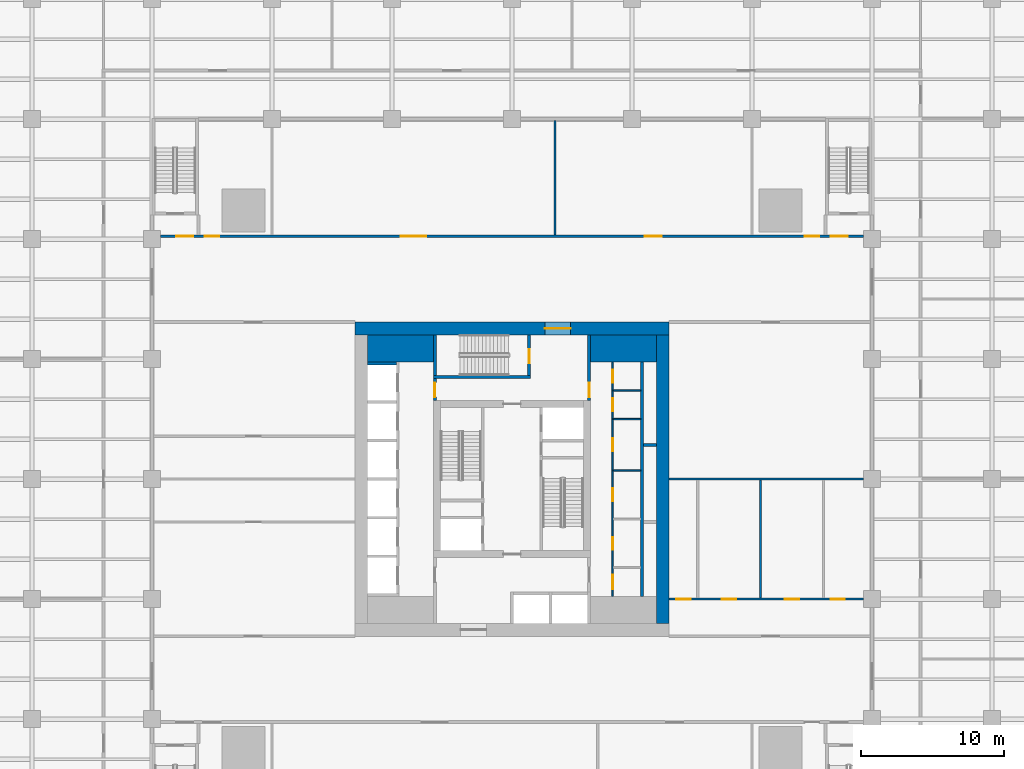
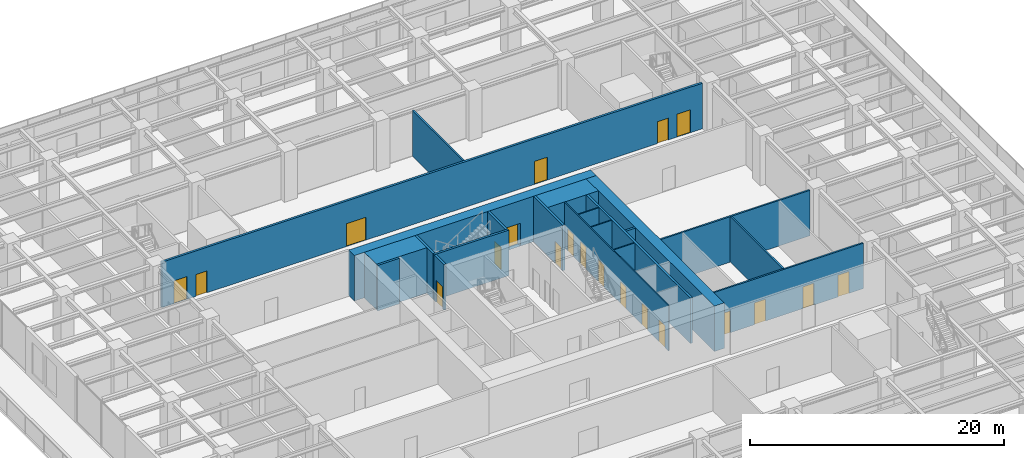
# One storey, part 20 of 32: 21 walls, 20 doors, 20 openings.
"""IFC4 building model written with IfcOpenShell, lengths in metres."""

from ifc_helpers import new_model, si_unit, direction, frame, frame_2d, origin, place, context, subcontext, project, spatial, rectangle, extrude, material, layer, layer_set, type_object, element, fill, save


model = new_model("IFC4")

# Units and contexts
model_context = context("Model", 3, precision=1e-05, world=origin(), true_north=direction((0.0, 1.0)))
body_context = subcontext(model_context, "Body", "Model", "MODEL_VIEW")
ifc_project = project(units=[si_unit("LENGTHUNIT", "METRE"), si_unit("AREAUNIT", "SQUARE_METRE"), si_unit("VOLUMEUNIT", "CUBIC_METRE"), si_unit("PLANEANGLEUNIT", "RADIAN"), si_unit("MASSUNIT", "GRAM", prefix="KILO")], contexts=[model_context])

# Site, building, storey
site_placement = place(None, origin())
site = spatial("IfcSite", under=ifc_project, at=site_placement, CompositionType="ELEMENT")
building_placement = place(site_placement, origin())
building = spatial("IfcBuilding", under=site, at=building_placement, Name="Khepri Terraces", CompositionType="ELEMENT")
storey_placement = place(building_placement, frame((0.0, 0.0, 12.0)))
storey = spatial("IfcBuildingStorey", under=building, at=storey_placement, Name="L02", CompositionType="ELEMENT", Elevation=12.0)

# Walls
ifc_material_1 = material(Name="Concrete C80/95", Category="concrete")
ifc_layer_1 = layer(ifc_material_1, 1.89990234375, Name="Concrete C80/95", Category="concrete")
ifc_layer_set_1 = layer_set([ifc_layer_1], Name="Concrete C80/95")
wall_type_1 = type_object("IfcWallType", Name="Core wall 1900 C80/95", PredefinedType="SHEAR", material=ifc_layer_set_1)
for number, where, z_axis, x_axis, name in (
    (1, (-10.10009765625, 9.14990234375, 0.0), (0.0, 0.0, 1.0), (1.0, 0.0, 0.0), "Core wall PR03 L02"),
    (2, (5.5, 9.14990234375, 0.0), (0.0, 0.0, 1.0), (1.0, 0.0, 0.0), "Core wall PR04 L02"),
):
    element("IfcWall", number, at=place(storey_placement, frame(where, z_axis=z_axis, x_axis=x_axis)), inside=storey, type_object=wall_type_1, Name=name, PredefinedType="SHEAR", context=body_context, shape_type="SweptSolid", body=[
        extrude(rectangle(XDim=4.60009765625, YDim=1.89990234375, at=frame_2d((2.300048828125, 0.0))), origin(), (0.0, 0.0, 1.0), 4.3798828125),
    ])
ifc_layer_2 = layer(ifc_material_1, 0.199951171875, Name="Concrete C80/95", Category="concrete")
ifc_layer_set_2 = layer_set([ifc_layer_2], Name="Concrete C80/95")
wall_type_2 = type_object("IfcWallType", Name="Core wall 200 C80/95", PredefinedType="SHEAR", material=ifc_layer_set_2)
wall_1_placement = place(storey_placement, frame((-5.5, 7.14990234375, 0.0), z_axis=(0.0, 0.0, 1.0), x_axis=(1.0, 0.0, 0.0)))
element("IfcWall", 3, at=wall_1_placement, inside=storey, type_object=wall_type_2, Name="Core wall ST05 L02", PredefinedType="SHEAR", context=body_context, shape_type="SweptSolid", body=[
    extrude(rectangle(XDim=6.800048828125, YDim=0.199951171875, at=frame_2d((3.39990234375, 0.0))), origin(), (0.0, 0.0, 1.0), 4.3798828125),
])
wall_2_placement = place(storey_placement, frame((-5.39990234375, 7.25, 0.0), z_axis=(0.0, 0.0, 1.0), x_axis=(0.0, 1.0, 0.0)))
element("IfcWall", 4, at=wall_2_placement, inside=storey, type_object=wall_type_2, Name="Core wall ST06 L02", PredefinedType="SHEAR", context=body_context, shape_type="SweptSolid", body=[
    extrude(rectangle(XDim=2.85009765625, YDim=0.199951171875, at=frame_2d((1.425048828125, 0.0))), origin(), (0.0, 0.0, 1.0), 4.3798828125),
])

# Wall, opening, door
wall_3_placement = place(storey_placement, frame((1.199951171875, 7.25, 0.0), z_axis=(0.0, 0.0, 1.0), x_axis=(0.0, 1.0, 0.0)))
wall_3 = element("IfcWall", 5, at=wall_3_placement, inside=storey, type_object=wall_type_2, Name="Core wall ST07 L02", PredefinedType="SHEAR", context=body_context, shape_type="SweptSolid", body=[
    extrude(rectangle(XDim=2.85009765625, YDim=0.199951171875, at=frame_2d((1.425048828125, 0.0))), origin(), (0.0, 0.0, 1.0), 4.3798828125),
])
opening_1_placement = place(wall_3_placement, frame((0.85009765625, 0.0, 0.0)))
opening_1 = element("IfcOpeningElement", 6, at=opening_1_placement, cuts=wall_3, Name="Opening L02-C15", PredefinedType="OPENING", context=body_context, shape_type="SweptSolid", body=[
    extrude(rectangle(XDim=1.0, YDim=2.10009765625, at=frame_2d((0.5, 1.050048828125))), frame((0.0, 0.10986328125, 0.0), z_axis=(0.0, -1.0, 0.0), x_axis=(1.0, 0.0, 0.0)), (0.0, 0.0, 1.0), 0.219970703125),
])
ifc_material_2 = material(Name="Painted steel", Category="steel")
door_type_1 = type_object("IfcDoorType", Name="DR-CORE-STAIR-1000", OperationType="NOTDEFINED", PredefinedType="DOOR", material=ifc_material_2)
door_1_placement = place(opening_1_placement, origin())
door_1 = element("IfcDoor", 7, at=door_1_placement, inside=storey, type_object=door_type_1, Name="Stair door L02-C15", OperationType="SINGLE_SWING_LEFT", OverallHeight=2.10009765625, OverallWidth=1.0, PredefinedType="DOOR", context=body_context, shape_type="SweptSolid", body=[
    extrude(rectangle(XDim=1.0, YDim=2.10009765625, at=frame_2d((0.5, 1.050048828125))), frame((0.0, 0.02490234375, 0.0), z_axis=(0.0, -1.0, 0.0), x_axis=(1.0, 0.0, 0.0)), (0.0, 0.0, 1.0), 0.050048828125),
])
fill(opening_1, door_1)

# Walls
wall_4_placement = place(storey_placement, frame((9.10009765625, -8.199951171875, 0.0), z_axis=(0.0, 0.0, 1.0), x_axis=(0.0, 1.0, 0.0)))
element("IfcWall", 8, at=wall_4_placement, inside=storey, type_object=wall_type_2, Name="Core wall SH05 L02", PredefinedType="SHEAR", context=body_context, shape_type="SweptSolid", body=[
    extrude(rectangle(XDim=16.39990234375, YDim=0.199951171875, at=frame_2d((8.199951171875, 0.0))), origin(), (0.0, 0.0, 1.0), 4.3798828125),
])
wall_5_placement = place(storey_placement, frame((9.199951171875, 2.39990234375, 0.0), z_axis=(0.0, 0.0, 1.0), x_axis=(1.0, 0.0, 0.0)))
element("IfcWall", 9, at=wall_5_placement, inside=storey, type_object=wall_type_2, Name="Core wall SH16 L02", PredefinedType="SHEAR", context=body_context, shape_type="SweptSolid", body=[
    extrude(rectangle(XDim=0.900146484375, YDim=0.199951171875, at=frame_2d((0.4501953125, 0.0))), origin(), (0.0, 0.0, 1.0), 4.3798828125),
])
wall_6_placement = place(storey_placement, frame((-10.10009765625, 8.10009765625, 0.0), z_axis=(0.0, 0.0, 1.0), x_axis=(1.0, 0.0, 0.0)))
element("IfcWall", 10, at=wall_6_placement, inside=storey, type_object=wall_type_2, Name="Core wall SH20 L02", PredefinedType="SHEAR", context=body_context, shape_type="SweptSolid", body=[
    extrude(rectangle(XDim=2.0, YDim=0.199951171875, at=frame_2d((1.0, 0.0))), origin(), (0.0, 0.0, 1.0), 4.3798828125),
])

# Wall, opening, door
ifc_layer_3 = layer(ifc_material_1, 0.89990234375, Name="Concrete C80/95", Category="concrete")
ifc_layer_set_3 = layer_set([ifc_layer_3], Name="Concrete C80/95")
wall_type_3 = type_object("IfcWallType", Name="Core wall 900 C80/95", PredefinedType="SHEAR", material=ifc_layer_set_3)
wall_7_placement = place(storey_placement, frame((-11.0, 10.550048828125, 0.0), z_axis=(0.0, 0.0, 1.0), x_axis=(1.0, 0.0, 0.0)))
wall_7 = element("IfcWall", 11, at=wall_7_placement, inside=storey, type_object=wall_type_3, Name="Core wall OW-N L02", PredefinedType="SHEAR", context=body_context, shape_type="SweptSolid", body=[
    extrude(rectangle(XDim=22.0, YDim=0.89990234375, at=frame_2d((11.0, 0.0))), origin(), (0.0, 0.0, 1.0), 4.3798828125),
])
opening_2_placement = place(wall_7_placement, frame((13.300048828125, 0.0, 0.0)))
opening_2 = element("IfcOpeningElement", 12, at=opening_2_placement, cuts=wall_7, Name="Opening L02-C20", PredefinedType="OPENING", context=body_context, shape_type="SweptSolid", body=[
    extrude(rectangle(XDim=1.800048828125, YDim=2.199951171875, at=frame_2d((0.89990234375, 1.10009765625))), frame((0.0, 0.4599609375, 0.0), z_axis=(0.0, -1.0, 0.0), x_axis=(1.0, 0.0, 0.0)), (0.0, 0.0, 1.0), 0.919921875),
])
door_type_2 = type_object("IfcDoorType", Name="DR-CORE-ENTRANCE-1800", OperationType="NOTDEFINED", PredefinedType="DOOR", material=ifc_material_2)
door_2_placement = place(opening_2_placement, origin())
door_2 = element("IfcDoor", 13, at=door_2_placement, inside=storey, type_object=door_type_2, Name="Core entrance door pair L02-C20", OperationType="DOUBLE_DOOR_SINGLE_SWING", OverallHeight=2.199951171875, OverallWidth=1.800048828125, PredefinedType="DOOR", context=body_context, shape_type="SweptSolid", body=[
    extrude(rectangle(XDim=1.800048828125, YDim=2.199951171875, at=frame_2d((0.89990234375, 1.10009765625))), frame((0.0, 0.02490234375, 0.0), z_axis=(0.0, -1.0, 0.0), x_axis=(1.0, 0.0, 0.0)), (0.0, 0.0, 1.0), 0.050048828125),
])
fill(opening_2, door_2)

# Wall
wall_8_placement = place(storey_placement, frame((10.550048828125, -10.10009765625, 0.0), z_axis=(0.0, 0.0, 1.0), x_axis=(0.0, 1.0, 0.0)))
element("IfcWall", 14, at=wall_8_placement, inside=storey, type_object=wall_type_3, Name="Core wall OW-E L02", PredefinedType="SHEAR", context=body_context, shape_type="SweptSolid", body=[
    extrude(rectangle(XDim=20.2001953125, YDim=0.89990234375, at=frame_2d((10.10009765625, 0.0))), origin(), (0.0, 0.0, 1.0), 4.3798828125),
])

# Wall, openings, doors
ifc_material_3 = material(Name="Fire-rated gypsum board partition")
ifc_layer_4 = layer(ifc_material_3, 0.10009765625, Name="Fire-rated gypsum board partition")
ifc_layer_set_4 = layer_set([ifc_layer_4], Name="Fire-rated gypsum board partition")
wall_type_4 = type_object("IfcWallType", Name="WL-CORE-PART-100", PredefinedType="PARTITIONING", material=ifc_layer_set_4)
wall_9_placement = place(storey_placement, frame((7.050048828125, -8.199951171875, 0.0), z_axis=(0.0, 0.0, 1.0), x_axis=(0.0, 1.0, 0.0)))
wall_9 = element("IfcWall", 15, at=wall_9_placement, inside=storey, type_object=wall_type_4, Name="Core partition PT02 L02", PredefinedType="PARTITIONING", context=body_context, shape_type="SweptSolid", body=[
    extrude(rectangle(XDim=16.39990234375, YDim=0.10009765625, at=frame_2d((8.199951171875, 0.0))), origin(), (0.0, 0.0, 1.0), 4.3798828125),
])
opening_3_placement = place(wall_9_placement, frame((0.5, 0.0, 0.0)))
opening_3 = element("IfcOpeningElement", 16, at=opening_3_placement, cuts=wall_9, Name="Opening L02-C22", PredefinedType="OPENING", context=body_context, shape_type="SweptSolid", body=[
    extrude(rectangle(XDim=1.0, YDim=2.10009765625, at=frame_2d((0.5, 1.050048828125))), frame((0.0, 0.06005859375, 0.0), z_axis=(0.0, -1.0, 0.0), x_axis=(1.0, 0.0, 0.0)), (0.0, 0.0, 1.0), 0.1201171875),
])
opening_4_placement = place(wall_9_placement, frame((3.25, 0.0, 0.0)))
opening_4 = element("IfcOpeningElement", 17, at=opening_4_placement, cuts=wall_9, Name="Opening L02-C23", PredefinedType="OPENING", context=body_context, shape_type="SweptSolid", body=[
    extrude(rectangle(XDim=0.89990234375, YDim=2.10009765625, at=frame_2d((0.449951171875, 1.050048828125))), frame((0.0, 0.06005859375, 0.0), z_axis=(0.0, -1.0, 0.0), x_axis=(1.0, 0.0, 0.0)), (0.0, 0.0, 1.0), 0.1201171875),
])
opening_5_placement = place(wall_9_placement, frame((6.64990234375, 0.0, 0.0)))
opening_5 = element("IfcOpeningElement", 18, at=opening_5_placement, cuts=wall_9, Name="Opening L02-C24", PredefinedType="OPENING", context=body_context, shape_type="SweptSolid", body=[
    extrude(rectangle(XDim=0.89990234375, YDim=2.10009765625, at=frame_2d((0.449951171875, 1.050048828125))), frame((0.0, 0.06005859375, 0.0), z_axis=(0.0, -1.0, 0.0), x_axis=(1.0, 0.0, 0.0)), (0.0, 0.0, 1.0), 0.1201171875),
])
opening_6_placement = place(wall_9_placement, frame((10.14990234375, 0.0, 0.0)))
opening_6 = element("IfcOpeningElement", 19, at=opening_6_placement, cuts=wall_9, Name="Opening L02-C25", PredefinedType="OPENING", context=body_context, shape_type="SweptSolid", body=[
    extrude(rectangle(XDim=0.89990234375, YDim=2.10009765625, at=frame_2d((0.449951171875, 1.050048828125))), frame((0.0, 0.06005859375, 0.0), z_axis=(0.0, -1.0, 0.0), x_axis=(1.0, 0.0, 0.0)), (0.0, 0.0, 1.0), 0.1201171875),
])
opening_7_placement = place(wall_9_placement, frame((12.949951171875, 0.0, 0.0)))
opening_7 = element("IfcOpeningElement", 20, at=opening_7_placement, cuts=wall_9, Name="Opening L02-C26", PredefinedType="OPENING", context=body_context, shape_type="SweptSolid", body=[
    extrude(rectangle(XDim=0.89990234375, YDim=2.10009765625, at=frame_2d((0.449951171875, 1.050048828125))), frame((0.0, 0.06005859375, 0.0), z_axis=(0.0, -1.0, 0.0), x_axis=(1.0, 0.0, 0.0)), (0.0, 0.0, 1.0), 0.1201171875),
])
opening_8_placement = place(wall_9_placement, frame((14.949951171875, 0.0, 0.0)))
opening_8 = element("IfcOpeningElement", 21, at=opening_8_placement, cuts=wall_9, Name="Opening L02-C27", PredefinedType="OPENING", context=body_context, shape_type="SweptSolid", body=[
    extrude(rectangle(XDim=0.89990234375, YDim=2.10009765625, at=frame_2d((0.449951171875, 1.050048828125))), frame((0.0, 0.06005859375, 0.0), z_axis=(0.0, -1.0, 0.0), x_axis=(1.0, 0.0, 0.0)), (0.0, 0.0, 1.0), 0.1201171875),
])
door_type_3 = type_object("IfcDoorType", Name="DR-CORE-SERVICE-900", OperationType="NOTDEFINED", PredefinedType="DOOR", material=ifc_material_2)
door_3_placement = place(opening_4_placement, frame((0.89990234375, 0.0, 0.0), z_axis=(0.0, 0.0, 1.0), x_axis=(-1.0, 0.0, 0.0)))
door_3 = element("IfcDoor", 22, at=door_3_placement, inside=storey, type_object=door_type_3, Name="Service room door L02-C23", OperationType="SINGLE_SWING_RIGHT", OverallHeight=2.10009765625, OverallWidth=0.89990234375, PredefinedType="DOOR", context=body_context, shape_type="SweptSolid", body=[
    extrude(rectangle(XDim=0.89990234375, YDim=2.10009765625, at=frame_2d((0.449951171875, 1.050048828125))), frame((0.0, 0.02490234375, 0.0), z_axis=(0.0, -1.0, 0.0), x_axis=(1.0, 0.0, 0.0)), (0.0, 0.0, 1.0), 0.050048828125),
])
fill(opening_4, door_3)
door_4_placement = place(opening_5_placement, frame((0.89990234375, 0.0, 0.0), z_axis=(0.0, 0.0, 1.0), x_axis=(-1.0, 0.0, 0.0)))
door_4 = element("IfcDoor", 23, at=door_4_placement, inside=storey, type_object=door_type_3, Name="Service room door L02-C24", OperationType="SINGLE_SWING_RIGHT", OverallHeight=2.10009765625, OverallWidth=0.89990234375, PredefinedType="DOOR", context=body_context, shape_type="SweptSolid", body=[
    extrude(rectangle(XDim=0.89990234375, YDim=2.10009765625, at=frame_2d((0.449951171875, 1.050048828125))), frame((0.0, 0.02490234375, 0.0), z_axis=(0.0, -1.0, 0.0), x_axis=(1.0, 0.0, 0.0)), (0.0, 0.0, 1.0), 0.050048828125),
])
fill(opening_5, door_4)
door_5_placement = place(opening_6_placement, frame((0.89990234375, 0.0, 0.0), z_axis=(0.0, 0.0, 1.0), x_axis=(-1.0, 0.0, 0.0)))
door_5 = element("IfcDoor", 24, at=door_5_placement, inside=storey, type_object=door_type_3, Name="Service room door L02-C25", OperationType="SINGLE_SWING_LEFT", OverallHeight=2.10009765625, OverallWidth=0.89990234375, PredefinedType="DOOR", context=body_context, shape_type="SweptSolid", body=[
    extrude(rectangle(XDim=0.89990234375, YDim=2.10009765625, at=frame_2d((0.449951171875, 1.050048828125))), frame((0.0, 0.02490234375, 0.0), z_axis=(0.0, -1.0, 0.0), x_axis=(1.0, 0.0, 0.0)), (0.0, 0.0, 1.0), 0.050048828125),
])
fill(opening_6, door_5)
door_6_placement = place(opening_7_placement, frame((0.89990234375, 0.0, 0.0), z_axis=(0.0, 0.0, 1.0), x_axis=(-1.0, 0.0, 0.0)))
door_6 = element("IfcDoor", 25, at=door_6_placement, inside=storey, type_object=door_type_3, Name="Service room door L02-C26", OperationType="SINGLE_SWING_LEFT", OverallHeight=2.10009765625, OverallWidth=0.89990234375, PredefinedType="DOOR", context=body_context, shape_type="SweptSolid", body=[
    extrude(rectangle(XDim=0.89990234375, YDim=2.10009765625, at=frame_2d((0.449951171875, 1.050048828125))), frame((0.0, 0.02490234375, 0.0), z_axis=(0.0, -1.0, 0.0), x_axis=(1.0, 0.0, 0.0)), (0.0, 0.0, 1.0), 0.050048828125),
])
fill(opening_7, door_6)
door_7_placement = place(opening_8_placement, frame((0.89990234375, 0.0, 0.0), z_axis=(0.0, 0.0, 1.0), x_axis=(-1.0, 0.0, 0.0)))
door_7 = element("IfcDoor", 26, at=door_7_placement, inside=storey, type_object=door_type_3, Name="Service room door L02-C27", OperationType="SINGLE_SWING_LEFT", OverallHeight=2.10009765625, OverallWidth=0.89990234375, PredefinedType="DOOR", context=body_context, shape_type="SweptSolid", body=[
    extrude(rectangle(XDim=0.89990234375, YDim=2.10009765625, at=frame_2d((0.449951171875, 1.050048828125))), frame((0.0, 0.02490234375, 0.0), z_axis=(0.0, -1.0, 0.0), x_axis=(1.0, 0.0, 0.0)), (0.0, 0.0, 1.0), 0.050048828125),
])
fill(opening_8, door_7)
ifc_material_4 = material(Name="Timber veneer", Category="wood")
door_type_4 = type_object("IfcDoorType", Name="DR-CORE-WC-1000", OperationType="NOTDEFINED", PredefinedType="DOOR", material=ifc_material_4)
door_8_placement = place(opening_3_placement, frame((1.0, 0.0, 0.0), z_axis=(0.0, 0.0, 1.0), x_axis=(-1.0, 0.0, 0.0)))
door_8 = element("IfcDoor", 27, at=door_8_placement, inside=storey, type_object=door_type_4, Name="WC door L02-C22", OperationType="SINGLE_SWING_RIGHT", OverallHeight=2.10009765625, OverallWidth=1.0, PredefinedType="DOOR", context=body_context, shape_type="SweptSolid", body=[
    extrude(rectangle(XDim=1.0, YDim=2.10009765625, at=frame_2d((0.5, 1.050048828125))), frame((0.0, 0.02490234375, 0.0), z_axis=(0.0, -1.0, 0.0), x_axis=(1.0, 0.0, 0.0)), (0.0, 0.0, 1.0), 0.050048828125),
])
fill(opening_3, door_8)

# Walls
for number, where, z_axis, x_axis, name in (
    (28, (7.10009765625, 0.60009765625, 0.0), (0.0, 0.0, 1.0), (1.0, 0.0, 0.0), "Core partition PT06 L02"),
    (29, (7.10009765625, 4.199951171875, 0.0), (0.0, 0.0, 1.0), (1.0, 0.0, 0.0), "Core partition PT07 L02"),
    (30, (7.10009765625, 6.199951171875, 0.0), (0.0, 0.0, 1.0), (1.0, 0.0, 0.0), "Core partition PT10 L02"),
):
    element("IfcWall", number, at=place(storey_placement, frame(where, z_axis=z_axis, x_axis=x_axis)), inside=storey, type_object=wall_type_4, Name=name, PredefinedType="PARTITIONING", context=body_context, shape_type="SweptSolid", body=[
        extrude(rectangle(XDim=1.89990234375, YDim=0.10009765625, at=frame_2d((0.949951171875, 0.0))), origin(), (0.0, 0.0, 1.0), 4.3798828125),
    ])

# Wall, opening, door
ifc_layer_5 = layer(ifc_material_3, 0.199951171875, Name="Fire-rated gypsum board partition")
ifc_layer_set_5 = layer_set([ifc_layer_5], Name="Fire-rated gypsum board partition")
wall_type_5 = type_object("IfcWallType", Name="WL-CORE-PART-200", PredefinedType="PARTITIONING", material=ifc_layer_set_5)
wall_10_placement = place(storey_placement, frame((-5.39990234375, 5.5, 0.0), z_axis=(0.0, 0.0, 1.0), x_axis=(0.0, 1.0, 0.0)))
wall_10 = element("IfcWall", 31, at=wall_10_placement, inside=storey, type_object=wall_type_5, Name="Core partition PT08 L02", PredefinedType="PARTITIONING", context=body_context, shape_type="SweptSolid", body=[
    extrude(rectangle(XDim=1.550048828125, YDim=0.199951171875, at=frame_2d((0.77490234375, 0.0))), origin(), (0.0, 0.0, 1.0), 4.3798828125),
])
opening_9_placement = place(wall_10_placement, frame((0.25, 0.0, 0.0)))
opening_9 = element("IfcOpeningElement", 32, at=opening_9_placement, cuts=wall_10, Name="Opening L02-C16", PredefinedType="OPENING", context=body_context, shape_type="SweptSolid", body=[
    extrude(rectangle(XDim=1.0, YDim=2.10009765625, at=frame_2d((0.5, 1.050048828125))), frame((0.0, 0.10986328125, 0.0), z_axis=(0.0, -1.0, 0.0), x_axis=(1.0, 0.0, 0.0)), (0.0, 0.0, 1.0), 0.219970703125),
])
door_type_5 = type_object("IfcDoorType", Name="DR-CORE-LOBBY-1000", OperationType="NOTDEFINED", PredefinedType="DOOR", material=ifc_material_2)
door_9_placement = place(opening_9_placement, frame((1.0, 0.0, 0.0), z_axis=(0.0, 0.0, 1.0), x_axis=(-1.0, 0.0, 0.0)))
door_9 = element("IfcDoor", 33, at=door_9_placement, inside=storey, type_object=door_type_5, Name="Lobby door L02-C16", OperationType="SINGLE_SWING_RIGHT", OverallHeight=2.10009765625, OverallWidth=1.0, PredefinedType="DOOR", context=body_context, shape_type="SweptSolid", body=[
    extrude(rectangle(XDim=1.0, YDim=2.10009765625, at=frame_2d((0.5, 1.050048828125))), frame((0.0, 0.02490234375, 0.0), z_axis=(0.0, -1.0, 0.0), x_axis=(1.0, 0.0, 0.0)), (0.0, 0.0, 1.0), 0.050048828125),
])
fill(opening_9, door_9)

wall_11_placement = place(storey_placement, frame((5.39990234375, 5.5, 0.0), z_axis=(0.0, 0.0, 1.0), x_axis=(0.0, 1.0, 0.0)))
wall_11 = element("IfcWall", 34, at=wall_11_placement, inside=storey, type_object=wall_type_5, Name="Core partition PT09 L02", PredefinedType="PARTITIONING", context=body_context, shape_type="SweptSolid", body=[
    extrude(rectangle(XDim=4.60009765625, YDim=0.199951171875, at=frame_2d((2.300048828125, 0.0))), origin(), (0.0, 0.0, 1.0), 4.3798828125),
])
opening_10_placement = place(wall_11_placement, frame((0.25, 0.0, 0.0)))
opening_10 = element("IfcOpeningElement", 35, at=opening_10_placement, cuts=wall_11, Name="Opening L02-C17", PredefinedType="OPENING", context=body_context, shape_type="SweptSolid", body=[
    extrude(rectangle(XDim=1.0, YDim=2.10009765625, at=frame_2d((0.5, 1.050048828125))), frame((0.0, 0.10986328125, 0.0), z_axis=(0.0, -1.0, 0.0), x_axis=(1.0, 0.0, 0.0)), (0.0, 0.0, 1.0), 0.219970703125),
])
door_10_placement = place(opening_10_placement, origin())
door_10 = element("IfcDoor", 36, at=door_10_placement, inside=storey, type_object=door_type_5, Name="Lobby door L02-C17", OperationType="SINGLE_SWING_LEFT", OverallHeight=2.10009765625, OverallWidth=1.0, PredefinedType="DOOR", context=body_context, shape_type="SweptSolid", body=[
    extrude(rectangle(XDim=1.0, YDim=2.10009765625, at=frame_2d((0.5, 1.050048828125))), frame((0.0, 0.02490234375, 0.0), z_axis=(0.0, -1.0, 0.0), x_axis=(1.0, 0.0, 0.0)), (0.0, 0.0, 1.0), 0.050048828125),
])
fill(opening_10, door_10)

# Wall, openings, doors
ifc_material_5 = material(Name="Gypsum board partition")
ifc_layer_6 = layer(ifc_material_5, 0.14990234375, Name="Gypsum board partition")
ifc_layer_set_6 = layer_set([ifc_layer_6], Name="Gypsum board partition")
wall_type_6 = type_object("IfcWallType", Name="WL-POD-150", PredefinedType="PARTITIONING", material=ifc_layer_set_6)
wall_12_placement = place(storey_placement, frame((11.0, -8.39990234375, 0.0), z_axis=(0.0, 0.0, 1.0), x_axis=(1.0, 0.0, 0.0)))
wall_12 = element("IfcWall", 37, at=wall_12_placement, inside=storey, type_object=wall_type_6, Name="Partition L02-PW014", PredefinedType="PARTITIONING", context=body_context, shape_type="SweptSolid", body=[
    extrude(rectangle(XDim=13.60009765625, YDim=0.14990234375, at=frame_2d((6.800048828125, 0.0))), origin(), (0.0, 0.0, 1.0), 4.3798828125),
])
opening_11_placement = place(wall_12_placement, frame((0.5, 0.0, 0.0)))
opening_11 = element("IfcOpeningElement", 38, at=opening_11_placement, cuts=wall_12, Name="Opening L02-P15", PredefinedType="OPENING", context=body_context, shape_type="SweptSolid", body=[
    extrude(rectangle(XDim=1.0, YDim=2.10009765625, at=frame_2d((0.5, 1.050048828125))), frame((0.0, 0.0849609375, 0.0), z_axis=(0.0, -1.0, 0.0), x_axis=(1.0, 0.0, 0.0)), (0.0, 0.0, 1.0), 0.169921875),
])
opening_12_placement = place(wall_12_placement, frame((3.699951171875, 0.0, 0.0)))
opening_12 = element("IfcOpeningElement", 39, at=opening_12_placement, cuts=wall_12, Name="Opening L02-P16", PredefinedType="OPENING", context=body_context, shape_type="SweptSolid", body=[
    extrude(rectangle(XDim=1.0, YDim=2.10009765625, at=frame_2d((0.5, 1.050048828125))), frame((0.0, 0.0849609375, 0.0), z_axis=(0.0, -1.0, 0.0), x_axis=(1.0, 0.0, 0.0)), (0.0, 0.0, 1.0), 0.169921875),
])
opening_13_placement = place(wall_12_placement, frame((8.10009765625, 0.0, 0.0)))
opening_13 = element("IfcOpeningElement", 40, at=opening_13_placement, cuts=wall_12, Name="Opening L02-P17", PredefinedType="OPENING", context=body_context, shape_type="SweptSolid", body=[
    extrude(rectangle(XDim=1.0, YDim=2.10009765625, at=frame_2d((0.5, 1.050048828125))), frame((0.0, 0.0849609375, 0.0), z_axis=(0.0, -1.0, 0.0), x_axis=(1.0, 0.0, 0.0)), (0.0, 0.0, 1.0), 0.169921875),
])
opening_14_placement = place(wall_12_placement, frame((11.300048828125, 0.0, 0.0)))
opening_14 = element("IfcOpeningElement", 41, at=opening_14_placement, cuts=wall_12, Name="Opening L02-P18", PredefinedType="OPENING", context=body_context, shape_type="SweptSolid", body=[
    extrude(rectangle(XDim=1.0, YDim=2.10009765625, at=frame_2d((0.5, 1.050048828125))), frame((0.0, 0.0849609375, 0.0), z_axis=(0.0, -1.0, 0.0), x_axis=(1.0, 0.0, 0.0)), (0.0, 0.0, 1.0), 0.169921875),
])
door_type_6 = type_object("IfcDoorType", Name="DR-POD-SINGLE-1000", OperationType="NOTDEFINED", PredefinedType="DOOR", material=ifc_material_4)
door_11_placement = place(opening_11_placement, origin())
door_11 = element("IfcDoor", 42, at=door_11_placement, inside=storey, type_object=door_type_6, Name="Door L02-P15", OperationType="SINGLE_SWING_LEFT", OverallHeight=2.10009765625, OverallWidth=1.0, PredefinedType="DOOR", context=body_context, shape_type="SweptSolid", body=[
    extrude(rectangle(XDim=1.0, YDim=2.10009765625, at=frame_2d((0.5, 1.050048828125))), frame((0.0, 0.02490234375, 0.0), z_axis=(0.0, -1.0, 0.0), x_axis=(1.0, 0.0, 0.0)), (0.0, 0.0, 1.0), 0.050048828125),
])
fill(opening_11, door_11)
door_12_placement = place(opening_12_placement, origin())
door_12 = element("IfcDoor", 43, at=door_12_placement, inside=storey, type_object=door_type_6, Name="Door L02-P16", OperationType="SINGLE_SWING_LEFT", OverallHeight=2.10009765625, OverallWidth=1.0, PredefinedType="DOOR", context=body_context, shape_type="SweptSolid", body=[
    extrude(rectangle(XDim=1.0, YDim=2.10009765625, at=frame_2d((0.5, 1.050048828125))), frame((0.0, 0.02490234375, 0.0), z_axis=(0.0, -1.0, 0.0), x_axis=(1.0, 0.0, 0.0)), (0.0, 0.0, 1.0), 0.050048828125),
])
fill(opening_12, door_12)
door_13_placement = place(opening_13_placement, origin())
door_13 = element("IfcDoor", 44, at=door_13_placement, inside=storey, type_object=door_type_6, Name="Door L02-P17", OperationType="SINGLE_SWING_RIGHT", OverallHeight=2.10009765625, OverallWidth=1.0, PredefinedType="DOOR", context=body_context, shape_type="SweptSolid", body=[
    extrude(rectangle(XDim=1.0, YDim=2.10009765625, at=frame_2d((0.5, 1.050048828125))), frame((0.0, 0.02490234375, 0.0), z_axis=(0.0, -1.0, 0.0), x_axis=(1.0, 0.0, 0.0)), (0.0, 0.0, 1.0), 0.050048828125),
])
fill(opening_13, door_13)
door_14_placement = place(opening_14_placement, origin())
door_14 = element("IfcDoor", 45, at=door_14_placement, inside=storey, type_object=door_type_6, Name="Door L02-P18", OperationType="SINGLE_SWING_RIGHT", OverallHeight=2.10009765625, OverallWidth=1.0, PredefinedType="DOOR", context=body_context, shape_type="SweptSolid", body=[
    extrude(rectangle(XDim=1.0, YDim=2.10009765625, at=frame_2d((0.5, 1.050048828125))), frame((0.0, 0.02490234375, 0.0), z_axis=(0.0, -1.0, 0.0), x_axis=(1.0, 0.0, 0.0)), (0.0, 0.0, 1.0), 0.050048828125),
])
fill(opening_14, door_14)

# Walls
wall_13_placement = place(storey_placement, frame((11.0, 0.0, 0.0), z_axis=(0.0, 0.0, 1.0), x_axis=(1.0, 0.0, 0.0)))
element("IfcWall", 46, at=wall_13_placement, inside=storey, type_object=wall_type_6, Name="Partition L02-PW017", PredefinedType="PARTITIONING", context=body_context, shape_type="SweptSolid", body=[
    extrude(rectangle(XDim=13.60009765625, YDim=0.14990234375, at=frame_2d((6.800048828125, 0.0))), origin(), (0.0, 0.0, 1.0), 4.3798828125),
])
wall_14_placement = place(storey_placement, frame((3.0, 17.10009765625, 0.0), z_axis=(0.0, 0.0, 1.0), x_axis=(0.0, 1.0, 0.0)))
element("IfcWall", 47, at=wall_14_placement, inside=storey, type_object=wall_type_6, Name="Partition L02-PW052", PredefinedType="PARTITIONING", context=body_context, shape_type="SweptSolid", body=[
    extrude(rectangle(XDim=8.0, YDim=0.14990234375, at=frame_2d((4.0, 0.0))), origin(), (0.0, 0.0, 1.0), 4.3798828125),
])
wall_15_placement = place(storey_placement, frame((17.39990234375, -8.324951171875, 0.0), z_axis=(0.0, 0.0, 1.0), x_axis=(0.0, 1.0, 0.0)))
element("IfcWall", 48, at=wall_15_placement, inside=storey, type_object=wall_type_6, Name="Partition L02-PW058", PredefinedType="PARTITIONING", context=body_context, shape_type="SweptSolid", body=[
    extrude(rectangle(XDim=8.25, YDim=0.14990234375, at=frame_2d((4.125, 0.0))), origin(), (0.0, 0.0, 1.0), 4.3798828125),
])

# Wall, openings, doors
ifc_material_6 = material(Name="Fire-rated block wall")
ifc_layer_7 = layer(ifc_material_6, 0.199951171875, Name="Fire-rated block wall")
ifc_layer_set_7 = layer_set([ifc_layer_7], Name="Fire-rated block wall")
wall_type_7 = type_object("IfcWallType", Name="WL-POD-200-EI60", PredefinedType="PARTITIONING", material=ifc_layer_set_7)
wall_16_placement = place(storey_placement, frame((-24.60009765625, 17.0, 0.0), z_axis=(0.0, 0.0, 1.0), x_axis=(1.0, 0.0, 0.0)))
wall_16 = element("IfcWall", 49, at=wall_16_placement, inside=storey, type_object=wall_type_7, Name="Partition L02-PW026", PredefinedType="PARTITIONING", context=body_context, shape_type="SweptSolid", body=[
    extrude(rectangle(XDim=49.2001953125, YDim=0.199951171875, at=frame_2d((24.60009765625, 0.0))), origin(), (0.0, 0.0, 1.0), 4.3798828125),
])
opening_15_placement = place(wall_16_placement, frame((1.10009765625, 0.0, 0.0)))
opening_15 = element("IfcOpeningElement", 50, at=opening_15_placement, cuts=wall_16, Name="Opening L02-P28", PredefinedType="OPENING", context=body_context, shape_type="SweptSolid", body=[
    extrude(rectangle(XDim=1.199951171875, YDim=2.199951171875, at=frame_2d((0.60009765625, 1.10009765625))), frame((0.0, 0.10986328125, 0.0), z_axis=(0.0, -1.0, 0.0), x_axis=(1.0, 0.0, 0.0)), (0.0, 0.0, 1.0), 0.219970703125),
])
opening_16_placement = place(wall_16_placement, frame((3.10009765625, 0.0, 0.0)))
opening_16 = element("IfcOpeningElement", 51, at=opening_16_placement, cuts=wall_16, Name="Opening L02-P29", PredefinedType="OPENING", context=body_context, shape_type="SweptSolid", body=[
    extrude(rectangle(XDim=1.0, YDim=2.10009765625, at=frame_2d((0.5, 1.050048828125))), frame((0.0, 0.10986328125, 0.0), z_axis=(0.0, -1.0, 0.0), x_axis=(1.0, 0.0, 0.0)), (0.0, 0.0, 1.0), 0.219970703125),
])
opening_17_placement = place(wall_16_placement, frame((16.800048828125, 0.0, 0.0)))
opening_17 = element("IfcOpeningElement", 52, at=opening_17_placement, cuts=wall_16, Name="Opening L02-P30", PredefinedType="OPENING", context=body_context, shape_type="SweptSolid", body=[
    extrude(rectangle(XDim=1.800048828125, YDim=2.199951171875, at=frame_2d((0.89990234375, 1.10009765625))), frame((0.0, 0.10986328125, 0.0), z_axis=(0.0, -1.0, 0.0), x_axis=(1.0, 0.0, 0.0)), (0.0, 0.0, 1.0), 0.219970703125),
])
opening_18_placement = place(wall_16_placement, frame((33.89990234375, 0.0, 0.0)))
opening_18 = element("IfcOpeningElement", 53, at=opening_18_placement, cuts=wall_16, Name="Opening L02-P31", PredefinedType="OPENING", context=body_context, shape_type="SweptSolid", body=[
    extrude(rectangle(XDim=1.199951171875, YDim=2.199951171875, at=frame_2d((0.60009765625, 1.10009765625))), frame((0.0, 0.10986328125, 0.0), z_axis=(0.0, -1.0, 0.0), x_axis=(1.0, 0.0, 0.0)), (0.0, 0.0, 1.0), 0.219970703125),
])
opening_19_placement = place(wall_16_placement, frame((45.10009765625, 0.0, 0.0)))
opening_19 = element("IfcOpeningElement", 54, at=opening_19_placement, cuts=wall_16, Name="Opening L02-P32", PredefinedType="OPENING", context=body_context, shape_type="SweptSolid", body=[
    extrude(rectangle(XDim=1.0, YDim=2.10009765625, at=frame_2d((0.5, 1.050048828125))), frame((0.0, 0.10986328125, 0.0), z_axis=(0.0, -1.0, 0.0), x_axis=(1.0, 0.0, 0.0)), (0.0, 0.0, 1.0), 0.219970703125),
])
opening_20_placement = place(wall_16_placement, frame((46.89990234375, 0.0, 0.0)))
opening_20 = element("IfcOpeningElement", 55, at=opening_20_placement, cuts=wall_16, Name="Opening L02-P33", PredefinedType="OPENING", context=body_context, shape_type="SweptSolid", body=[
    extrude(rectangle(XDim=1.199951171875, YDim=2.199951171875, at=frame_2d((0.60009765625, 1.10009765625))), frame((0.0, 0.10986328125, 0.0), z_axis=(0.0, -1.0, 0.0), x_axis=(1.0, 0.0, 0.0)), (0.0, 0.0, 1.0), 0.219970703125),
])
door_type_7 = type_object("IfcDoorType", Name="DR-POD-FIRE-1200", OperationType="NOTDEFINED", PredefinedType="DOOR", material=ifc_material_2)
door_15_placement = place(opening_15_placement, origin())
door_15 = element("IfcDoor", 56, at=door_15_placement, inside=storey, type_object=door_type_7, Name="Fire door L02-P28", OperationType="SINGLE_SWING_RIGHT", OverallHeight=2.199951171875, OverallWidth=1.199951171875, PredefinedType="DOOR", context=body_context, shape_type="SweptSolid", body=[
    extrude(rectangle(XDim=1.199951171875, YDim=2.199951171875, at=frame_2d((0.60009765625, 1.10009765625))), frame((0.0, 0.02490234375, 0.0), z_axis=(0.0, -1.0, 0.0), x_axis=(1.0, 0.0, 0.0)), (0.0, 0.0, 1.0), 0.050048828125),
])
fill(opening_15, door_15)
door_16_placement = place(opening_20_placement, origin())
door_16 = element("IfcDoor", 57, at=door_16_placement, inside=storey, type_object=door_type_7, Name="Fire door L02-P33", OperationType="SINGLE_SWING_LEFT", OverallHeight=2.199951171875, OverallWidth=1.199951171875, PredefinedType="DOOR", context=body_context, shape_type="SweptSolid", body=[
    extrude(rectangle(XDim=1.199951171875, YDim=2.199951171875, at=frame_2d((0.60009765625, 1.10009765625))), frame((0.0, 0.02490234375, 0.0), z_axis=(0.0, -1.0, 0.0), x_axis=(1.0, 0.0, 0.0)), (0.0, 0.0, 1.0), 0.050048828125),
])
fill(opening_20, door_16)
ifc_material_7 = material(Name="Glazed aluminium", Category="aluminium")
door_type_8 = type_object("IfcDoorType", Name="DR-POD-PAIR-1800", OperationType="DOUBLE_DOOR_SINGLE_SWING", PredefinedType="DOOR", material=ifc_material_7)
door_17_placement = place(opening_17_placement, origin())
door_17 = element("IfcDoor", 58, at=door_17_placement, inside=storey, type_object=door_type_8, Name="Double door L02-P30", OperationType="DOUBLE_DOOR_SINGLE_SWING", OverallHeight=2.199951171875, OverallWidth=1.800048828125, PredefinedType="DOOR", context=body_context, shape_type="SweptSolid", body=[
    extrude(rectangle(XDim=1.800048828125, YDim=2.199951171875, at=frame_2d((0.89990234375, 1.10009765625))), frame((0.0, 0.02490234375, 0.0), z_axis=(0.0, -1.0, 0.0), x_axis=(1.0, 0.0, 0.0)), (0.0, 0.0, 1.0), 0.050048828125),
])
fill(opening_17, door_17)
door_18_placement = place(opening_16_placement, origin())
door_18 = element("IfcDoor", 59, at=door_18_placement, inside=storey, type_object=door_type_6, Name="Door L02-P29", OperationType="SINGLE_SWING_LEFT", OverallHeight=2.10009765625, OverallWidth=1.0, PredefinedType="DOOR", context=body_context, shape_type="SweptSolid", body=[
    extrude(rectangle(XDim=1.0, YDim=2.10009765625, at=frame_2d((0.5, 1.050048828125))), frame((0.0, 0.02490234375, 0.0), z_axis=(0.0, -1.0, 0.0), x_axis=(1.0, 0.0, 0.0)), (0.0, 0.0, 1.0), 0.050048828125),
])
fill(opening_16, door_18)
door_19_placement = place(opening_19_placement, origin())
door_19 = element("IfcDoor", 60, at=door_19_placement, inside=storey, type_object=door_type_6, Name="Door L02-P32", OperationType="SINGLE_SWING_RIGHT", OverallHeight=2.10009765625, OverallWidth=1.0, PredefinedType="DOOR", context=body_context, shape_type="SweptSolid", body=[
    extrude(rectangle(XDim=1.0, YDim=2.10009765625, at=frame_2d((0.5, 1.050048828125))), frame((0.0, 0.02490234375, 0.0), z_axis=(0.0, -1.0, 0.0), x_axis=(1.0, 0.0, 0.0)), (0.0, 0.0, 1.0), 0.050048828125),
])
fill(opening_19, door_19)
door_type_9 = type_object("IfcDoorType", Name="DR-POD-SINGLE-1200", OperationType="NOTDEFINED", PredefinedType="DOOR", material=ifc_material_4)
door_20_placement = place(opening_18_placement, origin())
door_20 = element("IfcDoor", 61, at=door_20_placement, inside=storey, type_object=door_type_9, Name="Door L02-P31", OperationType="SINGLE_SWING_RIGHT", OverallHeight=2.199951171875, OverallWidth=1.199951171875, PredefinedType="DOOR", context=body_context, shape_type="SweptSolid", body=[
    extrude(rectangle(XDim=1.199951171875, YDim=2.199951171875, at=frame_2d((0.60009765625, 1.10009765625))), frame((0.0, 0.02490234375, 0.0), z_axis=(0.0, -1.0, 0.0), x_axis=(1.0, 0.0, 0.0)), (0.0, 0.0, 1.0), 0.050048828125),
])
fill(opening_18, door_20)

save(model, "model.ifc")
